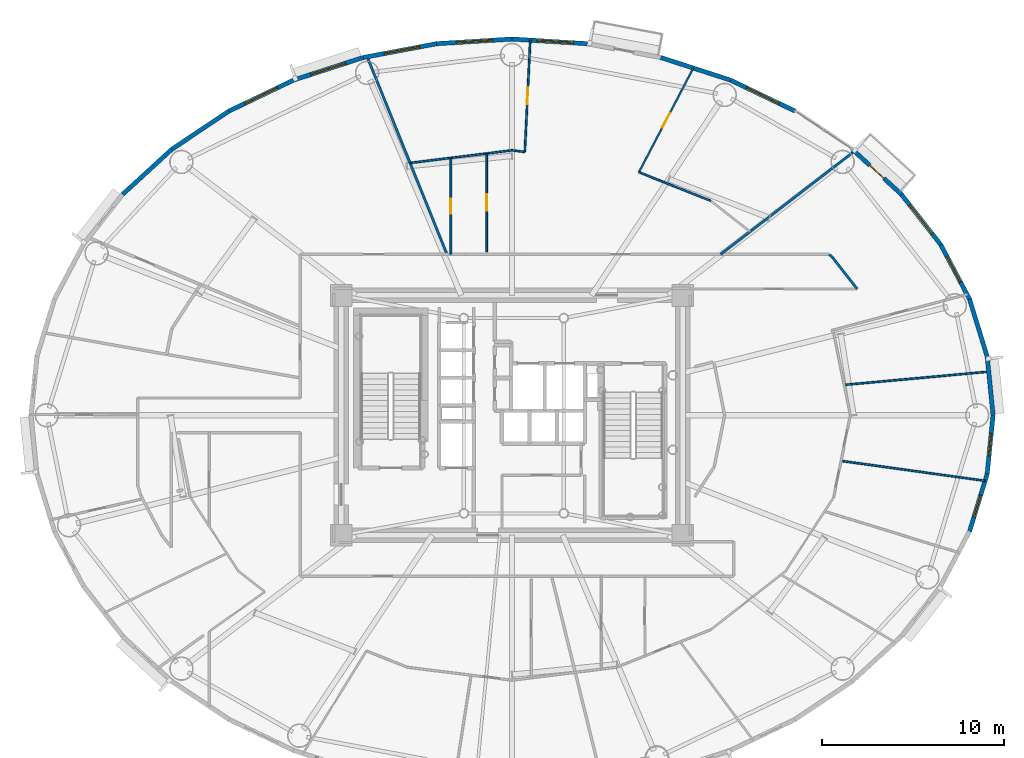
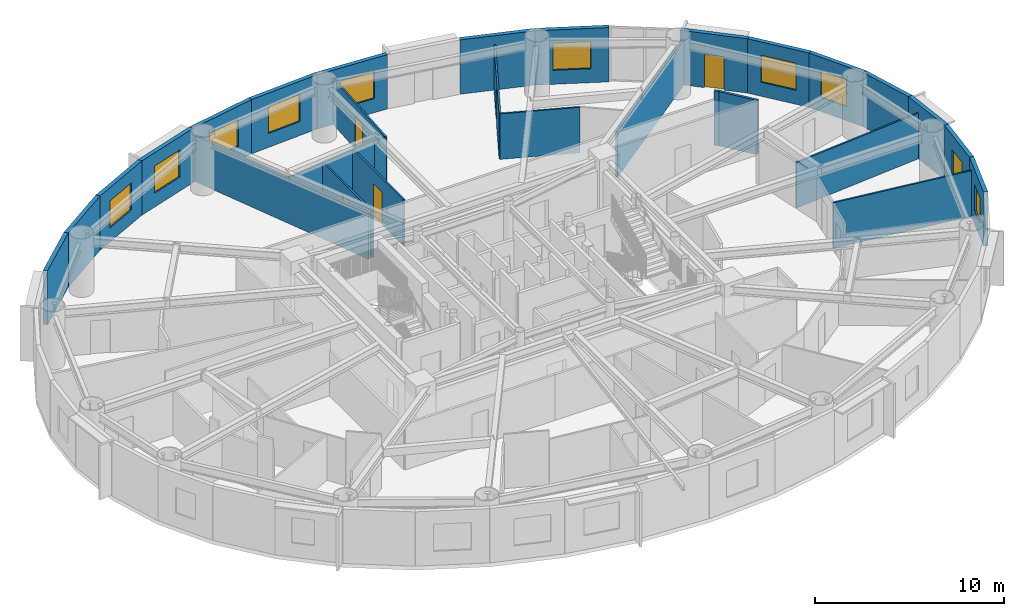
# One storey, part 13 of 21: 29 walls, 10 windows, 5 doors, 15 openings.
"""IFC4 building model written with IfcOpenShell, lengths in metres."""

from ifc_helpers import new_model, si_unit, direction, frame, frame_2d, origin, origin_2d, place, context, subcontext, project, spatial, rectangle, extrude, source, transform, mapped, material, layer, layer_set, type_object, element, fill, save


model = new_model("IFC4")

# Units and contexts
model_context = context("Model", 3, precision=1e-05, world=origin(), true_north=direction((0.0, 1.0)))
body_context = subcontext(model_context, "Body", "Model", "MODEL_VIEW")
ifc_project = project(units=[si_unit("LENGTHUNIT", "METRE"), si_unit("AREAUNIT", "SQUARE_METRE"), si_unit("VOLUMEUNIT", "CUBIC_METRE"), si_unit("PLANEANGLEUNIT", "RADIAN"), si_unit("MASSUNIT", "GRAM", prefix="KILO")], contexts=[model_context])

# Site, building, storey
site_placement = place(None, origin())
site = spatial("IfcSite", under=ifc_project, at=site_placement, CompositionType="ELEMENT")
building_placement = place(site_placement, origin())
building = spatial("IfcBuilding", under=site, at=building_placement, Name="Linh Dai School and Residence Tower", CompositionType="ELEMENT")
storey_placement = place(building_placement, frame((0.0, 0.0, 189.89990234375)))
storey = spatial("IfcBuildingStorey", under=building, at=storey_placement, Name="L46", CompositionType="ELEMENT", Elevation=189.89990234375)

# Walls
ifc_material_1 = material(Name="Precast Concrete B45 (C35/45)", Category="concrete")
ifc_layer_1 = layer(ifc_material_1, 0.239990234375)
ifc_layer_set_1 = layer_set([ifc_layer_1], Name="Precast Concrete B45 (C35/45)")
wall_type_1 = type_object("IfcWallType", Name="EW-TC-240", PredefinedType="SOLIDWALL", material=ifc_layer_set_1)
wall_1_placement = place(storey_placement, frame((62.14990234375, 30.233642578125, 0.0), z_axis=(0.0, 0.0, 1.0), x_axis=(0.100061534614, -0.994981250723, 0.0)))
element("IfcWall", 1, at=wall_1_placement, inside=storey, type_object=wall_type_1, Name="L46 Terracotta Exterior Wall 01", PredefinedType="SOLIDWALL", context=body_context, shape_type="SweptSolid", body=[
    extrude(rectangle(XDim=3.25, YDim=0.239990234375, at=frame_2d((1.625, 0.0))), origin(), (0.0, 0.0, 1.0), 3.5),
])
wall_2_placement = place(storey_placement, frame((61.1826171875, 33.388916015625, 0.0), z_axis=(0.0, 0.0, 1.0), x_axis=(0.293097995113, -0.956082405058, 0.0)))
element("IfcWall", 2, at=wall_2_placement, inside=storey, type_object=wall_type_1, Name="L46 Terracotta Exterior Wall 02", PredefinedType="SOLIDWALL", context=body_context, shape_type="SweptSolid", body=[
    extrude(rectangle(XDim=3.30029296875, YDim=0.239990234375, at=frame_2d((1.650146484375, 0.0))), origin(), (0.0, 0.0, 1.0), 3.5),
])

# Wall, opening, window
wall_3_placement = place(storey_placement, frame((59.595947265625, 36.388427734375, 0.0), z_axis=(0.0, 0.0, 1.0), x_axis=(0.467586874938, -0.88394712194, 0.0)))
wall_3 = element("IfcWall", 3, at=wall_3_placement, inside=storey, type_object=wall_type_1, Name="L46 Terracotta Exterior Wall 03", PredefinedType="SOLIDWALL", context=body_context, shape_type="SweptSolid", body=[
    extrude(rectangle(XDim=3.393310546875, YDim=0.239990234375, at=frame_2d((1.69677734375, 0.0))), origin(), (0.0, 0.0, 1.0), 3.5),
])
opening_1_placement = place(wall_3_placement, frame((0.7392578125, 0.0, 0.89990234375)))
opening_1 = element("IfcOpeningElement", 4, at=opening_1_placement, cuts=wall_3, Name="Opening W2", PredefinedType="OPENING", context=body_context, shape_type="SweptSolid", body=[
    extrude(rectangle(XDim=1.60009765625, YDim=1.75, at=origin_2d()), frame((0.800048828125, 0.1298828125, 0.875), z_axis=(0.0, -1.0, 0.0), x_axis=(1.0, 0.0, 0.0)), (0.0, 0.0, 1.0), 0.260009765625),
])
ifc_material_2 = material(Name="Double Low-E Insulated Glazing", Category="glass")
window_type_1 = type_object("IfcWindowType", Name="WN-RES-1600x1750", PartitioningType="DOUBLE_PANEL_VERTICAL", PredefinedType="WINDOW", material=ifc_material_2)
shared_shape_1 = source(origin(), body_context, "Body", "SweptSolid", [
    extrude(rectangle(XDim=1.60009765625, YDim=1.75, at=origin_2d()), frame((0.800048828125, 0.030029296875, 0.875), z_axis=(0.0, -1.0, 0.0), x_axis=(1.0, 0.0, 0.0)), (0.0, 0.0, 1.0), 0.06005859375),
])
window_1_placement = place(opening_1_placement, origin())
window_1 = element("IfcWindow", 5, at=window_1_placement, inside=storey, type_object=window_type_1, Name="L46 Exterior Window 03.1", OverallHeight=1.75, OverallWidth=1.60009765625, PartitioningType="DOUBLE_PANEL_VERTICAL", PredefinedType="WINDOW", context=body_context, shape_type="MappedRepresentation", body=[
    mapped(shared_shape_1, transform((0.0, 0.0, 0.0), x_axis=(1.0, 0.0, 0.0), y_axis=(0.0, 1.0, 0.0), z_axis=(0.0, 0.0, 1.0), scale=1.0)),
])
fill(opening_1, window_1)

wall_4_placement = place(storey_placement, frame((57.42822265625, 39.158447265625, 0.0), z_axis=(0.0, 0.0, 1.0), x_axis=(0.616287674549, -0.787521112224, 0.0)))
wall_4 = element("IfcWall", 6, at=wall_4_placement, inside=storey, type_object=wall_type_1, Name="L46 Terracotta Exterior Wall 04", PredefinedType="SOLIDWALL", context=body_context, shape_type="SweptSolid", body=[
    extrude(rectangle(XDim=3.517333984375, YDim=0.239990234375, at=frame_2d((1.7587890625, 0.0))), origin(), (0.0, 0.0, 1.0), 3.5),
])
opening_2_placement = place(wall_4_placement, frame((0.758544921875, 0.0, 0.89990234375)))
opening_2 = element("IfcOpeningElement", 7, at=opening_2_placement, cuts=wall_4, Name="Opening W1", PredefinedType="OPENING", context=body_context, shape_type="SweptSolid", body=[
    extrude(rectangle(XDim=2.0, YDim=1.75, at=origin_2d()), frame((1.0, 0.1298828125, 0.875), z_axis=(0.0, -1.0, 0.0), x_axis=(1.0, 0.0, 0.0)), (0.0, 0.0, 1.0), 0.260009765625),
])
window_type_2 = type_object("IfcWindowType", Name="WN-RES-2000x1750", PartitioningType="DOUBLE_PANEL_VERTICAL", PredefinedType="WINDOW", material=ifc_material_2)
shared_shape_2 = source(origin(), body_context, "Body", "SweptSolid", [
    extrude(rectangle(XDim=2.0, YDim=1.75, at=origin_2d()), frame((1.0, 0.030029296875, 0.875), z_axis=(0.0, -1.0, 0.0), x_axis=(1.0, 0.0, 0.0)), (0.0, 0.0, 1.0), 0.06005859375),
])
window_2_placement = place(opening_2_placement, origin())
window_2 = element("IfcWindow", 8, at=window_2_placement, inside=storey, type_object=window_type_2, Name="L46 Exterior Window 04.1", OverallHeight=1.75, OverallWidth=2.0, PartitioningType="DOUBLE_PANEL_VERTICAL", PredefinedType="WINDOW", context=body_context, shape_type="MappedRepresentation", body=[
    mapped(shared_shape_2, transform((0.0, 0.0, 0.0), x_axis=(1.0, 0.0, 0.0), y_axis=(0.0, 1.0, 0.0), z_axis=(0.0, 0.0, 1.0), scale=1.0)),
])
fill(opening_2, window_2)

# Wall, opening, door
wall_5_placement = place(storey_placement, frame((54.73193359375, 41.630615234375, 0.0), z_axis=(0.0, 0.0, 1.0), x_axis=(0.737076565834, -0.675809245349, 0.0)))
wall_5 = element("IfcWall", 9, at=wall_5_placement, inside=storey, type_object=wall_type_1, Name="L46 Terracotta Exterior Wall 05", PredefinedType="SOLIDWALL", context=body_context, shape_type="SweptSolid", body=[
    extrude(rectangle(XDim=3.658203125, YDim=0.239990234375, at=frame_2d((1.8291015625, 0.0))), origin(), (0.0, 0.0, 1.0), 3.5),
])
opening_3_placement = place(wall_5_placement, frame((1.303955078125, 0.0, 0.0)))
opening_3 = element("IfcOpeningElement", 10, at=opening_3_placement, cuts=wall_5, Name="Opening BD1", PredefinedType="OPENING", context=body_context, shape_type="SweptSolid", body=[
    extrude(rectangle(XDim=1.050048828125, YDim=2.14990234375, at=origin_2d()), frame((0.52490234375, 0.1298828125, 1.074951171875), z_axis=(0.0, -1.0, 0.0), x_axis=(1.0, 0.0, 0.0)), (0.0, 0.0, 1.0), 0.260009765625),
])
ifc_material_3 = material(Name="Double-Glazed Balcony Door", Category="glass")
door_type_1 = type_object("IfcDoorType", Name="DR-BALC-1050x2150", OperationType="NOTDEFINED", PredefinedType="DOOR", material=ifc_material_3)
shared_shape_3 = source(origin(), body_context, "Body", "SweptSolid", [
    extrude(rectangle(XDim=1.050048828125, YDim=2.14990234375, at=origin_2d()), frame((0.52490234375, 0.02490234375, 1.074951171875), z_axis=(0.0, -1.0, 0.0), x_axis=(1.0, 0.0, 0.0)), (0.0, 0.0, 1.0), 0.050048828125),
])
door_1_placement = place(opening_3_placement, origin())
door_1 = element("IfcDoor", 11, at=door_1_placement, inside=storey, type_object=door_type_1, Name="L46 Glazed Balcony Door 05", OperationType="SINGLE_SWING_LEFT", OverallHeight=2.14990234375, OverallWidth=1.050048828125, PredefinedType="DOOR", context=body_context, shape_type="MappedRepresentation", body=[
    mapped(shared_shape_3, transform((0.0, 0.0, 0.0), x_axis=(1.0, 0.0, 0.0), y_axis=(0.0, 1.0, 0.0), z_axis=(0.0, 0.0, 1.0), scale=1.0)),
])
fill(opening_3, door_1)

# Wall, opening, window
wall_6_placement = place(storey_placement, frame((48.02978515625, 45.443603515625, 0.0), z_axis=(0.0, 0.0, 1.0), x_axis=(0.901564733809, -0.432644231155, 0.0)))
wall_6 = element("IfcWall", 12, at=wall_6_placement, inside=storey, type_object=wall_type_1, Name="L46 Terracotta Exterior Wall 07", PredefinedType="SOLIDWALL", context=body_context, shape_type="SweptSolid", body=[
    extrude(rectangle(XDim=3.930419921875, YDim=0.239990234375, at=frame_2d((1.96533203125, 0.0))), origin(), (0.0, 0.0, 1.0), 3.5),
])
opening_4_placement = place(wall_6_placement, frame((0.965087890625, 0.0, 0.89990234375)))
opening_4 = element("IfcOpeningElement", 13, at=opening_4_placement, cuts=wall_6, Name="Opening W1", PredefinedType="OPENING", context=body_context, shape_type="SweptSolid", body=[
    extrude(rectangle(XDim=2.0, YDim=1.75, at=origin_2d()), frame((1.0, 0.1298828125, 0.875), z_axis=(0.0, -1.0, 0.0), x_axis=(1.0, 0.0, 0.0)), (0.0, 0.0, 1.0), 0.260009765625),
])
window_3_placement = place(opening_4_placement, origin())
window_3 = element("IfcWindow", 14, at=window_3_placement, inside=storey, type_object=window_type_2, Name="L46 Exterior Window 07.1", OverallHeight=1.75, OverallWidth=2.0, PartitioningType="DOUBLE_PANEL_VERTICAL", PredefinedType="WINDOW", context=body_context, shape_type="MappedRepresentation", body=[
    mapped(shared_shape_2, transform((0.0, 0.0, 0.0), x_axis=(1.0, 0.0, 0.0), y_axis=(0.0, 1.0, 0.0), z_axis=(0.0, 0.0, 1.0), scale=1.0)),
])
fill(opening_4, window_3)

# Wall
wall_7_placement = place(storey_placement, frame((44.18896484375, 46.689453125, 0.0), z_axis=(0.0, 0.0, 1.0), x_axis=(0.951209870236, -0.30854462038, 0.0)))
element("IfcWall", 15, at=wall_7_placement, inside=storey, type_object=wall_type_1, Name="L46 Terracotta Exterior Wall 08", PredefinedType="SOLIDWALL", context=body_context, shape_type="SweptSolid", body=[
    extrude(rectangle(XDim=4.037841796875, YDim=0.239990234375, at=frame_2d((2.01904296875, 0.0))), origin(), (0.0, 0.0, 1.0), 3.5),
])

# Wall, opening, window
wall_8_placement = place(storey_placement, frame((36.0, 47.705078125, 0.0), z_axis=(0.0, 0.0, 1.0), x_axis=(0.998104600619, -0.061540281305, 0.0)))
wall_8 = element("IfcWall", 16, at=wall_8_placement, inside=storey, type_object=wall_type_1, Name="L46 Terracotta Exterior Wall 10", PredefinedType="SOLIDWALL", context=body_context, shape_type="SweptSolid", body=[
    extrude(rectangle(XDim=4.153564453125, YDim=0.239990234375, at=frame_2d((2.07666015625, 0.0))), origin(), (0.0, 0.0, 1.0), 3.5),
])
opening_5_placement = place(wall_8_placement, frame((1.38720703125, 0.0, 0.89990234375)))
opening_5 = element("IfcOpeningElement", 17, at=opening_5_placement, cuts=wall_8, Name="Opening W1", PredefinedType="OPENING", context=body_context, shape_type="SweptSolid", body=[
    extrude(rectangle(XDim=2.0, YDim=1.75, at=origin_2d()), frame((1.0, 0.1298828125, 0.875), z_axis=(0.0, -1.0, 0.0), x_axis=(1.0, 0.0, 0.0)), (0.0, 0.0, 1.0), 0.260009765625),
])
window_4_placement = place(opening_5_placement, origin())
window_4 = element("IfcWindow", 18, at=window_4_placement, inside=storey, type_object=window_type_2, Name="L46 Exterior Window 10.1", OverallHeight=1.75, OverallWidth=2.0, PartitioningType="DOUBLE_PANEL_VERTICAL", PredefinedType="WINDOW", context=body_context, shape_type="MappedRepresentation", body=[
    mapped(shared_shape_2, transform((0.0, 0.0, 0.0), x_axis=(1.0, 0.0, 0.0), y_axis=(0.0, 1.0, 0.0), z_axis=(0.0, 0.0, 1.0), scale=1.0)),
])
fill(opening_5, window_4)

wall_9_placement = place(storey_placement, frame((31.854248046875, 47.449462890625, 0.0), z_axis=(0.0, 0.0, 1.0), x_axis=(0.998104600619, 0.061540281305, 0.0)))
wall_9 = element("IfcWall", 19, at=wall_9_placement, inside=storey, type_object=wall_type_1, Name="L46 Terracotta Exterior Wall 11", PredefinedType="SOLIDWALL", context=body_context, shape_type="SweptSolid", body=[
    extrude(rectangle(XDim=4.153564453125, YDim=0.239990234375, at=frame_2d((2.07666015625, 0.0))), origin(), (0.0, 0.0, 1.0), 3.5),
])
opening_6_placement = place(wall_9_placement, frame((1.076904296875, 0.0, 0.89990234375)))
opening_6 = element("IfcOpeningElement", 20, at=opening_6_placement, cuts=wall_9, Name="Opening W1", PredefinedType="OPENING", context=body_context, shape_type="SweptSolid", body=[
    extrude(rectangle(XDim=2.0, YDim=1.75, at=origin_2d()), frame((1.0, 0.1298828125, 0.875), z_axis=(0.0, -1.0, 0.0), x_axis=(1.0, 0.0, 0.0)), (0.0, 0.0, 1.0), 0.260009765625),
])
window_5_placement = place(opening_6_placement, origin())
window_5 = element("IfcWindow", 21, at=window_5_placement, inside=storey, type_object=window_type_2, Name="L46 Exterior Window 11.1", OverallHeight=1.75, OverallWidth=2.0, PartitioningType="DOUBLE_PANEL_VERTICAL", PredefinedType="WINDOW", context=body_context, shape_type="MappedRepresentation", body=[
    mapped(shared_shape_2, transform((0.0, 0.0, 0.0), x_axis=(1.0, 0.0, 0.0), y_axis=(0.0, 1.0, 0.0), z_axis=(0.0, 0.0, 1.0), scale=1.0)),
])
fill(opening_6, window_5)

wall_10_placement = place(storey_placement, frame((27.81103515625, 46.689453125, 0.0), z_axis=(0.0, 0.0, 1.0), x_axis=(0.982788108205, 0.184736391573, 0.0)))
wall_10 = element("IfcWall", 22, at=wall_10_placement, inside=storey, type_object=wall_type_1, Name="L46 Terracotta Exterior Wall 12", PredefinedType="SOLIDWALL", context=body_context, shape_type="SweptSolid", body=[
    extrude(rectangle(XDim=4.114013671875, YDim=0.239990234375, at=frame_2d((2.05712890625, 0.0))), origin(), (0.0, 0.0, 1.0), 3.5),
])
opening_7_placement = place(wall_10_placement, frame((1.17626953125, 0.0, 0.89990234375)))
opening_7 = element("IfcOpeningElement", 23, at=opening_7_placement, cuts=wall_10, Name="Opening W1", PredefinedType="OPENING", context=body_context, shape_type="SweptSolid", body=[
    extrude(rectangle(XDim=2.0, YDim=1.75, at=origin_2d()), frame((1.0, 0.1298828125, 0.875), z_axis=(0.0, -1.0, 0.0), x_axis=(1.0, 0.0, 0.0)), (0.0, 0.0, 1.0), 0.260009765625),
])
window_6_placement = place(opening_7_placement, origin())
window_6 = element("IfcWindow", 24, at=window_6_placement, inside=storey, type_object=window_type_2, Name="L46 Exterior Window 12.1", OverallHeight=1.75, OverallWidth=2.0, PartitioningType="DOUBLE_PANEL_VERTICAL", PredefinedType="WINDOW", context=body_context, shape_type="MappedRepresentation", body=[
    mapped(shared_shape_2, transform((0.0, 0.0, 0.0), x_axis=(1.0, 0.0, 0.0), y_axis=(0.0, 1.0, 0.0), z_axis=(0.0, 0.0, 1.0), scale=1.0)),
])
fill(opening_7, window_6)

wall_11_placement = place(storey_placement, frame((23.97021484375, 45.443603515625, 0.0), z_axis=(0.0, 0.0, 1.0), x_axis=(0.951209870236, 0.30854462038, 0.0)))
wall_11 = element("IfcWall", 25, at=wall_11_placement, inside=storey, type_object=wall_type_1, Name="L46 Terracotta Exterior Wall 13", PredefinedType="SOLIDWALL", context=body_context, shape_type="SweptSolid", body=[
    extrude(rectangle(XDim=4.037841796875, YDim=0.239990234375, at=frame_2d((2.01904296875, 0.0))), origin(), (0.0, 0.0, 1.0), 3.5),
])
opening_8_placement = place(wall_11_placement, frame((1.01904296875, 0.0, 0.89990234375)))
opening_8 = element("IfcOpeningElement", 26, at=opening_8_placement, cuts=wall_11, Name="Opening W1", PredefinedType="OPENING", context=body_context, shape_type="SweptSolid", body=[
    extrude(rectangle(XDim=2.0, YDim=1.75, at=origin_2d()), frame((1.0, 0.1298828125, 0.875), z_axis=(0.0, -1.0, 0.0), x_axis=(1.0, 0.0, 0.0)), (0.0, 0.0, 1.0), 0.260009765625),
])
window_7_placement = place(opening_8_placement, origin())
window_7 = element("IfcWindow", 27, at=window_7_placement, inside=storey, type_object=window_type_2, Name="L46 Exterior Window 13.1", OverallHeight=1.75, OverallWidth=2.0, PartitioningType="DOUBLE_PANEL_VERTICAL", PredefinedType="WINDOW", context=body_context, shape_type="MappedRepresentation", body=[
    mapped(shared_shape_2, transform((0.0, 0.0, 0.0), x_axis=(1.0, 0.0, 0.0), y_axis=(0.0, 1.0, 0.0), z_axis=(0.0, 0.0, 1.0), scale=1.0)),
])
fill(opening_8, window_7)

wall_12_placement = place(storey_placement, frame((20.4267578125, 43.7431640625, 0.0), z_axis=(0.0, 0.0, 1.0), x_axis=(0.901564733809, 0.432644231155, 0.0)))
wall_12 = element("IfcWall", 28, at=wall_12_placement, inside=storey, type_object=wall_type_1, Name="L46 Terracotta Exterior Wall 14", PredefinedType="SOLIDWALL", context=body_context, shape_type="SweptSolid", body=[
    extrude(rectangle(XDim=3.930419921875, YDim=0.239990234375, at=frame_2d((1.96533203125, 0.0))), origin(), (0.0, 0.0, 1.0), 3.5),
])
opening_9_placement = place(wall_12_placement, frame((0.96533203125, 0.0, 0.89990234375)))
opening_9 = element("IfcOpeningElement", 29, at=opening_9_placement, cuts=wall_12, Name="Opening W1", PredefinedType="OPENING", context=body_context, shape_type="SweptSolid", body=[
    extrude(rectangle(XDim=2.0, YDim=1.75, at=origin_2d()), frame((1.0, 0.1298828125, 0.875), z_axis=(0.0, -1.0, 0.0), x_axis=(1.0, 0.0, 0.0)), (0.0, 0.0, 1.0), 0.260009765625),
])
window_8_placement = place(opening_9_placement, origin())
window_8 = element("IfcWindow", 30, at=window_8_placement, inside=storey, type_object=window_type_2, Name="L46 Exterior Window 14.1", OverallHeight=1.75, OverallWidth=2.0, PartitioningType="DOUBLE_PANEL_VERTICAL", PredefinedType="WINDOW", context=body_context, shape_type="MappedRepresentation", body=[
    mapped(shared_shape_2, transform((0.0, 0.0, 0.0), x_axis=(1.0, 0.0, 0.0), y_axis=(0.0, 1.0, 0.0), z_axis=(0.0, 0.0, 1.0), scale=1.0)),
])
fill(opening_9, window_8)

# Walls
wall_13_placement = place(storey_placement, frame((17.26806640625, 41.630615234375, 0.0), z_axis=(0.0, 0.0, 1.0), x_axis=(0.831228998277, 0.555930168657, 0.0)))
element("IfcWall", 31, at=wall_13_placement, inside=storey, type_object=wall_type_1, Name="L46 Terracotta Exterior Wall 15", PredefinedType="SOLIDWALL", context=body_context, shape_type="SweptSolid", body=[
    extrude(rectangle(XDim=3.800048828125, YDim=0.239990234375, at=frame_2d((1.89990234375, 0.0))), origin(), (0.0, 0.0, 1.0), 3.5),
])
wall_14_placement = place(storey_placement, frame((14.57177734375, 39.158447265625, 0.0), z_axis=(0.0, 0.0, 1.0), x_axis=(0.737076565834, 0.675809245349, 0.0)))
element("IfcWall", 32, at=wall_14_placement, inside=storey, type_object=wall_type_1, Name="L46 Terracotta Exterior Wall 16", PredefinedType="SOLIDWALL", context=body_context, shape_type="SweptSolid", body=[
    extrude(rectangle(XDim=3.658203125, YDim=0.239990234375, at=frame_2d((1.8291015625, 0.0))), origin(), (0.0, 0.0, 1.0), 3.5),
])

# Wall, opening, window
wall_15_placement = place(storey_placement, frame((62.14990234375, 23.766357421875, 0.0), z_axis=(0.0, 0.0, 1.0), x_axis=(-0.293097995113, -0.956082405058, 0.0)))
wall_15 = element("IfcWall", 33, at=wall_15_placement, inside=storey, type_object=wall_type_1, Name="L46 Terracotta Exterior Wall 39", PredefinedType="SOLIDWALL", context=body_context, shape_type="SweptSolid", body=[
    extrude(rectangle(XDim=3.30029296875, YDim=0.239990234375, at=frame_2d((1.650146484375, 0.0))), origin(), (0.0, 0.0, 1.0), 3.5),
])
opening_10_placement = place(wall_15_placement, frame((1.224609375, 0.0, 0.89990234375)))
opening_10 = element("IfcOpeningElement", 34, at=opening_10_placement, cuts=wall_15, Name="Opening W3", PredefinedType="OPENING", context=body_context, shape_type="SweptSolid", body=[
    extrude(rectangle(XDim=1.25, YDim=1.64990234375, at=origin_2d()), frame((0.625, 0.1298828125, 0.824951171875), z_axis=(0.0, -1.0, 0.0), x_axis=(1.0, 0.0, 0.0)), (0.0, 0.0, 1.0), 0.260009765625),
])
window_type_3 = type_object("IfcWindowType", Name="WN-RES-1250x1650", PartitioningType="SINGLE_PANEL", PredefinedType="WINDOW", material=ifc_material_2)
shared_shape_4 = source(origin(), body_context, "Body", "SweptSolid", [
    extrude(rectangle(XDim=1.25, YDim=1.64990234375, at=origin_2d()), frame((0.625, 0.030029296875, 0.824951171875), z_axis=(0.0, -1.0, 0.0), x_axis=(1.0, 0.0, 0.0)), (0.0, 0.0, 1.0), 0.06005859375),
])
window_9_placement = place(opening_10_placement, origin())
window_9 = element("IfcWindow", 35, at=window_9_placement, inside=storey, type_object=window_type_3, Name="L46 Exterior Window 39.1", OverallHeight=1.64990234375, OverallWidth=1.25, PartitioningType="SINGLE_PANEL", PredefinedType="WINDOW", context=body_context, shape_type="MappedRepresentation", body=[
    mapped(shared_shape_4, transform((0.0, 0.0, 0.0), x_axis=(1.0, 0.0, 0.0), y_axis=(0.0, 1.0, 0.0), z_axis=(0.0, 0.0, 1.0), scale=1.0)),
])
fill(opening_10, window_9)

wall_16_placement = place(storey_placement, frame((62.47509765625, 27.0, 0.0), z_axis=(0.0, 0.0, 1.0), x_axis=(-0.100061534614, -0.994981250723, 0.0)))
wall_16 = element("IfcWall", 36, at=wall_16_placement, inside=storey, type_object=wall_type_1, Name="L46 Terracotta Exterior Wall 40", PredefinedType="SOLIDWALL", context=body_context, shape_type="SweptSolid", body=[
    extrude(rectangle(XDim=3.25, YDim=0.239990234375, at=frame_2d((1.625, 0.0))), origin(), (0.0, 0.0, 1.0), 3.5),
])
opening_11_placement = place(wall_16_placement, frame((1.0, 0.0, 0.89990234375)))
opening_11 = element("IfcOpeningElement", 37, at=opening_11_placement, cuts=wall_16, Name="Opening W3", PredefinedType="OPENING", context=body_context, shape_type="SweptSolid", body=[
    extrude(rectangle(XDim=1.25, YDim=1.64990234375, at=origin_2d()), frame((0.625, 0.1298828125, 0.824951171875), z_axis=(0.0, -1.0, 0.0), x_axis=(1.0, 0.0, 0.0)), (0.0, 0.0, 1.0), 0.260009765625),
])
window_10_placement = place(opening_11_placement, origin())
window_10 = element("IfcWindow", 38, at=window_10_placement, inside=storey, type_object=window_type_3, Name="L46 Dwelling Window U4602-BD4", OverallHeight=1.64990234375, OverallWidth=1.25, PartitioningType="SINGLE_PANEL", PredefinedType="WINDOW", context=body_context, shape_type="MappedRepresentation", body=[
    mapped(shared_shape_4, transform((0.0, 0.0, 0.0), x_axis=(1.0, 0.0, 0.0), y_axis=(0.0, 1.0, 0.0), z_axis=(0.0, 0.0, 1.0), scale=1.0)),
])
fill(opening_11, window_10)

# Walls
ifc_material_4 = material(Name="Autoclaved Aerated Concrete Blockwork", Category="masonry")
ifc_layer_2 = layer(ifc_material_4, 0.135009765625)
ifc_layer_set_2 = layer_set([ifc_layer_2], Name="Autoclaved Aerated Concrete Blockwork")
wall_type_2 = type_object("IfcWallType", Name="IW-CORR-135-EI90", PredefinedType="PARTITIONING", material=ifc_layer_set_2)
wall_17_placement = place(storey_placement, frame((28.026611328125, 46.73486328125, 0.0), z_axis=(0.0, 0.0, 1.0), x_axis=(0.374604711709, -0.927184614824, 0.0)))
element("IfcWall", 39, at=wall_17_placement, inside=storey, type_object=wall_type_2, Name="L46 Interior Partition Wall 027", PredefinedType="PARTITIONING", context=body_context, shape_type="SweptSolid", body=[
    extrude(rectangle(XDim=11.739501953125, YDim=0.135009765625, at=frame_2d((5.86962890625, 0.0))), origin(), (0.0, 0.0, 1.0), 2.93505859375),
])
wall_18_placement = place(storey_placement, frame((47.47607421875, 35.85009765625, 0.0), z_axis=(0.0, 0.0, 1.0), x_axis=(0.791888091101, 0.610666235495, 0.0)))
element("IfcWall", 40, at=wall_18_placement, inside=storey, type_object=wall_type_2, Name="L46 Interior Partition Wall 079", PredefinedType="PARTITIONING", context=body_context, shape_type="SweptSolid", body=[
    extrude(rectangle(XDim=9.306396484375, YDim=0.135009765625, at=frame_2d((4.6533203125, 0.0))), origin(), (0.0, 0.0, 1.0), 2.93505859375),
])
wall_19_placement = place(storey_placement, frame((53.453857421875, 35.85009765625, 0.0), z_axis=(0.0, 0.0, 1.0), x_axis=(0.736667385572, -0.676255249913, 0.0)))
element("IfcWall", 41, at=wall_19_placement, inside=storey, type_object=wall_type_2, Name="L46 Interior Partition Wall 084", PredefinedType="PARTITIONING", context=body_context, shape_type="SweptSolid", body=[
    extrude(rectangle(XDim=0.270751953125, YDim=0.135009765625, at=frame_2d((0.13525390625, 0.0))), origin(), (0.0, 0.0, 1.0), 3.5),
])
wall_20_placement = place(storey_placement, frame((53.6533203125, 35.6669921875, 0.0), z_axis=(0.0, 0.0, 1.0), x_axis=(0.616302223209, -0.787509726713, 0.0)))
element("IfcWall", 42, at=wall_20_placement, inside=storey, type_object=wall_type_2, Name="L46 Interior Partition Wall 087", PredefinedType="PARTITIONING", context=body_context, shape_type="SweptSolid", body=[
    extrude(rectangle(XDim=2.180419921875, YDim=0.135009765625, at=frame_2d((1.09033203125, 0.0))), origin(), (0.0, 0.0, 1.0), 3.5),
])
ifc_material_5 = material(Name="Gypsum Plasterboard Acoustic Stud Partition", Category="masonry")
ifc_layer_3 = layer(ifc_material_5, 0.10009765625)
ifc_layer_set_3 = layer_set([ifc_layer_3], Name="Gypsum Plasterboard Acoustic Stud Partition")
wall_type_3 = type_object("IfcWallType", Name="IW-UNIT-100", PredefinedType="PARTITIONING", material=ifc_layer_set_3)
wall_21_placement = place(storey_placement, frame((30.389892578125, 40.88525390625, 0.0), z_axis=(0.0, 0.0, 1.0), x_axis=(0.992397005414, 0.123077957591, 0.0)))
element("IfcWall", 43, at=wall_21_placement, inside=storey, type_object=wall_type_3, Name="L46 Interior Partition Wall 029", PredefinedType="PARTITIONING", context=body_context, shape_type="SweptSolid", body=[
    extrude(rectangle(XDim=5.6533203125, YDim=0.10009765625, at=frame_2d((2.82666015625, 0.0))), origin(), (0.0, 0.0, 1.0), 2.93505859375),
])

# Wall, opening, door
wall_22_placement = place(storey_placement, frame((32.6357421875, 35.85009765625, 0.0), z_axis=(0.0, 0.0, 1.0), x_axis=(0.0, 1.0, 0.0)))
wall_22 = element("IfcWall", 44, at=wall_22_placement, inside=storey, type_object=wall_type_3, Name="L46 Interior Partition Wall 037", PredefinedType="PARTITIONING", context=body_context, shape_type="SweptSolid", body=[
    extrude(rectangle(XDim=5.313720703125, YDim=0.10009765625, at=frame_2d((2.65673828125, 0.0))), origin(), (0.0, 0.0, 1.0), 2.985107421875),
])
opening_12_placement = place(wall_22_placement, frame((2.246826171875, 0.0, 0.0)))
opening_12 = element("IfcOpeningElement", 45, at=opening_12_placement, cuts=wall_22, Name="Opening D06", PredefinedType="OPENING", context=body_context, shape_type="SweptSolid", body=[
    extrude(rectangle(XDim=0.820068359375, YDim=2.10009765625, at=origin_2d()), frame((0.41015625, 0.06005859375, 1.050048828125), z_axis=(0.0, -1.0, 0.0), x_axis=(1.0, 0.0, 0.0)), (0.0, 0.0, 1.0), 0.1201171875),
])
ifc_material_6 = material(Name="Moisture-Resistant Timber Bathroom Door", Category="wood")
door_type_2 = type_object("IfcDoorType", Name="DR-WET-820x2100", OperationType="NOTDEFINED", PredefinedType="DOOR", material=ifc_material_6)
shared_shape_5 = source(origin(), body_context, "Body", "SweptSolid", [
    extrude(rectangle(XDim=0.820068359375, YDim=2.10009765625, at=origin_2d()), frame((0.41015625, 0.02490234375, 1.050048828125), z_axis=(0.0, -1.0, 0.0), x_axis=(1.0, 0.0, 0.0)), (0.0, 0.0, 1.0), 0.050048828125),
])
door_2_placement = place(opening_12_placement, origin())
door_2 = element("IfcDoor", 46, at=door_2_placement, inside=storey, type_object=door_type_2, Name="L46 Apartment U4603 Bathroom 1 Door", OperationType="SINGLE_SWING_LEFT", OverallHeight=2.10009765625, OverallWidth=0.820068359375, PredefinedType="DOOR", context=body_context, shape_type="MappedRepresentation", body=[
    mapped(shared_shape_5, transform((0.0, 0.0, 0.0), x_axis=(1.0, 0.0, 0.0), y_axis=(0.0, 1.0, 0.0), z_axis=(0.0, 0.0, 1.0), scale=1.0)),
])
fill(opening_12, door_2)

wall_23_placement = place(storey_placement, frame((34.61181640625, 35.992919921875, 0.0), z_axis=(0.0, 0.0, 1.0), x_axis=(0.0, 1.0, 0.0)))
wall_23 = element("IfcWall", 47, at=wall_23_placement, inside=storey, type_object=wall_type_3, Name="L46 Interior Partition Wall 040", PredefinedType="PARTITIONING", context=body_context, shape_type="SweptSolid", body=[
    extrude(rectangle(XDim=5.416015625, YDim=0.10009765625, at=frame_2d((2.7080078125, 0.0))), origin(), (0.0, 0.0, 1.0), 2.985107421875),
])
opening_13_placement = place(wall_23_placement, frame((2.2578125, 0.0, 0.0)))
opening_13 = element("IfcOpeningElement", 48, at=opening_13_placement, cuts=wall_23, Name="Opening D05", PredefinedType="OPENING", context=body_context, shape_type="SweptSolid", body=[
    extrude(rectangle(XDim=0.89990234375, YDim=2.10009765625, at=origin_2d()), frame((0.449951171875, 0.06005859375, 1.050048828125), z_axis=(0.0, -1.0, 0.0), x_axis=(1.0, 0.0, 0.0)), (0.0, 0.0, 1.0), 0.1201171875),
])
ifc_material_7 = material(Name="Engineered Timber Internal Door", Category="wood")
door_type_3 = type_object("IfcDoorType", Name="DR-INT-900x2100", OperationType="NOTDEFINED", PredefinedType="DOOR", material=ifc_material_7)
shared_shape_6 = source(origin(), body_context, "Body", "SweptSolid", [
    extrude(rectangle(XDim=0.89990234375, YDim=2.10009765625, at=origin_2d()), frame((0.449951171875, 0.02490234375, 1.050048828125), z_axis=(0.0, -1.0, 0.0), x_axis=(1.0, 0.0, 0.0)), (0.0, 0.0, 1.0), 0.050048828125),
])
door_3_placement = place(opening_13_placement, origin())
door_3 = element("IfcDoor", 49, at=door_3_placement, inside=storey, type_object=door_type_3, Name="L46 Apartment U4603 Kitchen Door", OperationType="SINGLE_SWING_RIGHT", OverallHeight=2.10009765625, OverallWidth=0.89990234375, PredefinedType="DOOR", context=body_context, shape_type="MappedRepresentation", body=[
    mapped(shared_shape_6, transform((0.0, 0.0, 0.0), x_axis=(1.0, 0.0, 0.0), y_axis=(0.0, 1.0, 0.0), z_axis=(0.0, 0.0, 1.0), scale=1.0)),
])
fill(opening_13, door_3)

# Wall
wall_24_placement = place(storey_placement, frame((36.0, 41.5810546875, 0.0), z_axis=(0.0, 0.0, 1.0), x_axis=(0.992372675388, -0.123273975939, 0.0)))
element("IfcWall", 50, at=wall_24_placement, inside=storey, type_object=wall_type_3, Name="L46 Interior Partition Wall 054", PredefinedType="PARTITIONING", context=body_context, shape_type="SweptSolid", body=[
    extrude(rectangle(XDim=0.7109375, YDim=0.10009765625, at=frame_2d((0.35546875, 0.0))), origin(), (0.0, 0.0, 1.0), 2.93505859375),
])

# Wall, opening, door
wall_25_placement = place(storey_placement, frame((36.70556640625, 41.493408203125, 0.0), z_axis=(0.0, 0.0, 1.0), x_axis=(0.04865506791, 0.99881564083, 0.0)))
wall_25 = element("IfcWall", 51, at=wall_25_placement, inside=storey, type_object=wall_type_3, Name="L46 Interior Partition Wall 056", PredefinedType="PARTITIONING", context=body_context, shape_type="SweptSolid", body=[
    extrude(rectangle(XDim=6.161865234375, YDim=0.10009765625, at=frame_2d((3.0810546875, 0.0))), origin(), (0.0, 0.0, 1.0), 2.93505859375),
])
opening_14_placement = place(wall_25_placement, frame((2.630859375, 0.0, 0.0)))
opening_14 = element("IfcOpeningElement", 52, at=opening_14_placement, cuts=wall_25, Name="Opening D05", PredefinedType="OPENING", context=body_context, shape_type="SweptSolid", body=[
    extrude(rectangle(XDim=0.89990234375, YDim=2.10009765625, at=origin_2d()), frame((0.449951171875, 0.06005859375, 1.050048828125), z_axis=(0.0, -1.0, 0.0), x_axis=(1.0, 0.0, 0.0)), (0.0, 0.0, 1.0), 0.1201171875),
])
door_4_placement = place(opening_14_placement, origin())
door_4 = element("IfcDoor", 53, at=door_4_placement, inside=storey, type_object=door_type_3, Name="L46 Apartment U4603 Principal Bedroom 2 Door", OperationType="SINGLE_SWING_LEFT", OverallHeight=2.10009765625, OverallWidth=0.89990234375, PredefinedType="DOOR", context=body_context, shape_type="MappedRepresentation", body=[
    mapped(shared_shape_6, transform((0.0, 0.0, 0.0), x_axis=(1.0, 0.0, 0.0), y_axis=(0.0, 1.0, 0.0), z_axis=(0.0, 0.0, 1.0), scale=1.0)),
])
fill(opening_14, door_4)

wall_26_placement = place(storey_placement, frame((42.9853515625, 40.3759765625, 0.0), z_axis=(0.0, 0.0, 1.0), x_axis=(0.462895979864, 0.886412608116, 0.0)))
wall_26 = element("IfcWall", 54, at=wall_26_placement, inside=storey, type_object=wall_type_3, Name="L46 Interior Partition Wall 070", PredefinedType="PARTITIONING", context=body_context, shape_type="SweptSolid", body=[
    extrude(rectangle(XDim=6.472412109375, YDim=0.10009765625, at=frame_2d((3.236328125, 0.0))), origin(), (0.0, 0.0, 1.0), 2.93505859375),
])
opening_15_placement = place(wall_26_placement, frame((2.7861328125, 0.0, 0.0)))
opening_15 = element("IfcOpeningElement", 55, at=opening_15_placement, cuts=wall_26, Name="Opening D05", PredefinedType="OPENING", context=body_context, shape_type="SweptSolid", body=[
    extrude(rectangle(XDim=0.89990234375, YDim=2.10009765625, at=origin_2d()), frame((0.449951171875, 0.06005859375, 1.050048828125), z_axis=(0.0, -1.0, 0.0), x_axis=(1.0, 0.0, 0.0)), (0.0, 0.0, 1.0), 0.1201171875),
])
door_5_placement = place(opening_15_placement, origin())
door_5 = element("IfcDoor", 56, at=door_5_placement, inside=storey, type_object=door_type_3, Name="L46 Apartment U4603 Principal Bedroom 1 Door", OperationType="SINGLE_SWING_RIGHT", OverallHeight=2.10009765625, OverallWidth=0.89990234375, PredefinedType="DOOR", context=body_context, shape_type="MappedRepresentation", body=[
    mapped(shared_shape_6, transform((0.0, 0.0, 0.0), x_axis=(1.0, 0.0, 0.0), y_axis=(0.0, 1.0, 0.0), z_axis=(0.0, 0.0, 1.0), scale=1.0)),
])
fill(opening_15, door_5)

# Walls
wall_27_placement = place(storey_placement, frame((42.9853515625, 40.3759765625, 0.0), z_axis=(0.0, 0.0, 1.0), x_axis=(0.928808113019, -0.370561046509, 0.0)))
element("IfcWall", 57, at=wall_27_placement, inside=storey, type_object=wall_type_3, Name="L46 Interior Partition Wall 071", PredefinedType="PARTITIONING", context=body_context, shape_type="SweptSolid", body=[
    extrude(rectangle(XDim=4.2626953125, YDim=0.10009765625, at=frame_2d((2.13134765625, 0.0))), origin(), (0.0, 0.0, 1.0), 2.93505859375),
])
wall_28_placement = place(storey_placement, frame((54.1123046875, 24.489990234375, 0.0), z_axis=(0.0, 0.0, 1.0), x_axis=(0.990538514902, -0.137235019202, 0.0)))
element("IfcWall", 58, at=wall_28_placement, inside=storey, type_object=wall_type_3, Name="L46 Interior Partition Wall 090", PredefinedType="PARTITIONING", context=body_context, shape_type="SweptSolid", body=[
    extrude(rectangle(XDim=8.003662109375, YDim=0.10009765625, at=frame_2d((4.001953125, 0.0))), origin(), (0.0, 0.0, 1.0), 2.93505859375),
])
wall_29_placement = place(storey_placement, frame((54.28173828125, 28.672119140625, 0.0), z_axis=(0.0, 0.0, 1.0), x_axis=(0.995843216122, 0.091083966227, 0.0)))
element("IfcWall", 59, at=wall_29_placement, inside=storey, type_object=wall_type_3, Name="L46 Interior Partition Wall 091", PredefinedType="PARTITIONING", context=body_context, shape_type="SweptSolid", body=[
    extrude(rectangle(XDim=7.990234375, YDim=0.10009765625, at=frame_2d((3.9951171875, 0.0))), origin(), (0.0, 0.0, 1.0), 2.93505859375),
])

save(model, "model.ifc")
